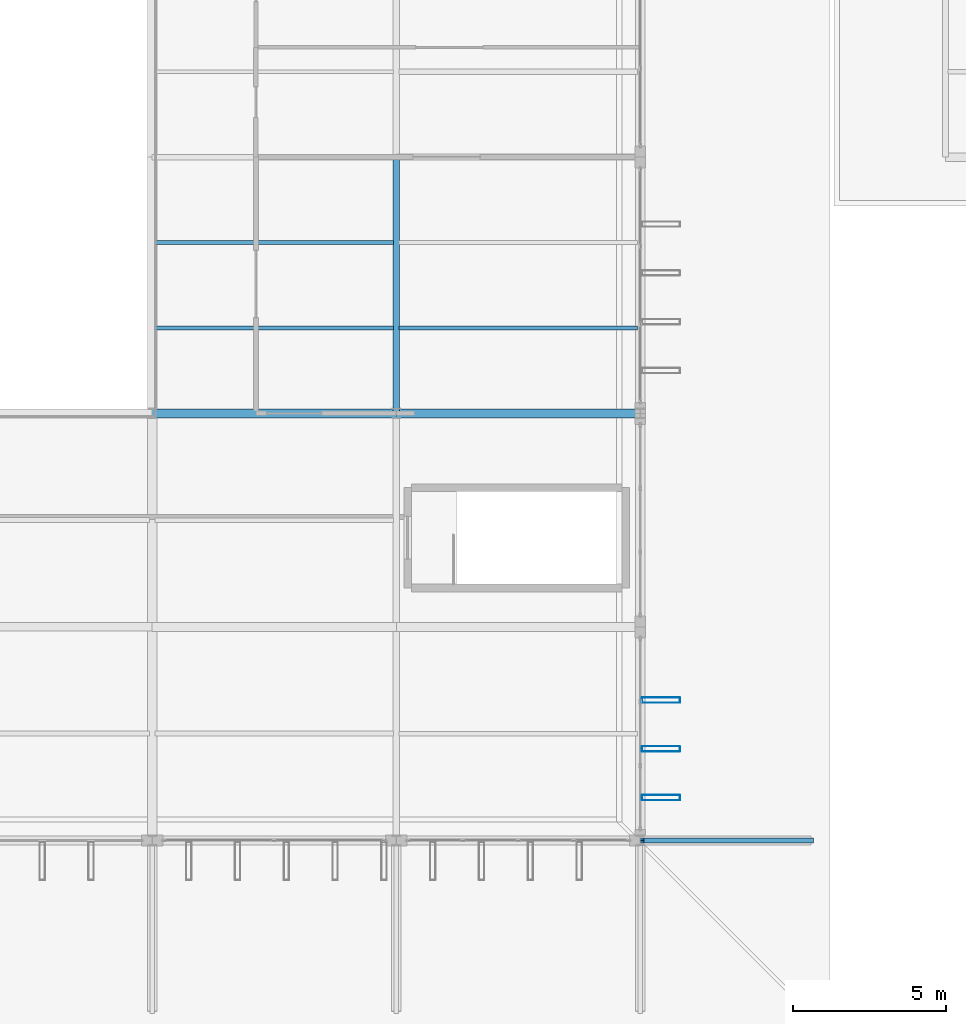
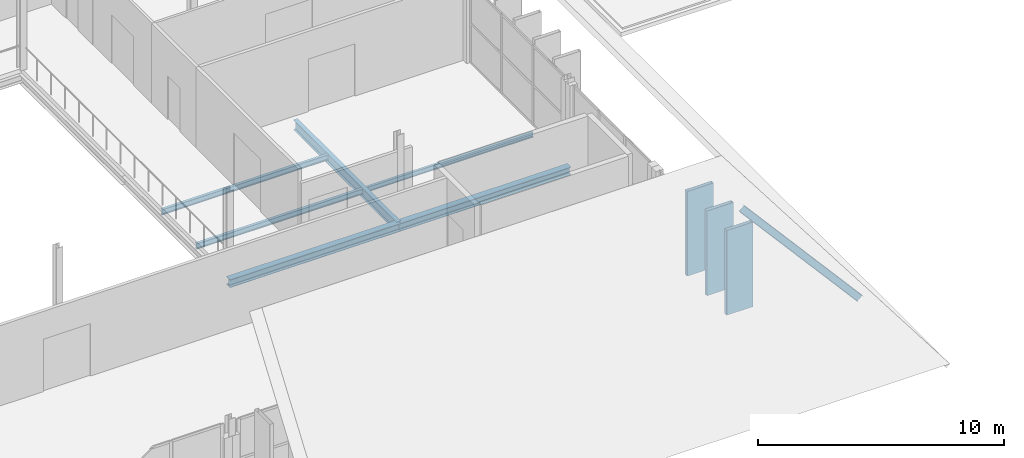
# One storey, part 41 of 93: 6 beams, 4 members.
"""IFC4 building model written with IfcOpenShell, lengths in metres."""

from ifc_helpers import new_model, si_unit, direction, frame, origin, origin_2d, place, context, subcontext, project, spatial, hollow_rectangle, i_section, extrude, material, material_profile, profile_set, type_object, element, save


model = new_model("IFC4")

# Units and contexts
model_context = context("Model", 3, precision=1e-05, world=origin(), true_north=direction((0.0, 1.0)))
body_context = subcontext(model_context, "Body", "Model", "MODEL_VIEW")
ifc_project = project(units=[si_unit("LENGTHUNIT", "METRE"), si_unit("AREAUNIT", "SQUARE_METRE"), si_unit("VOLUMEUNIT", "CUBIC_METRE"), si_unit("PLANEANGLEUNIT", "RADIAN"), si_unit("MASSUNIT", "GRAM", prefix="KILO")], contexts=[model_context])

# Site, building, storey
site_placement = place(None, origin())
site = spatial("IfcSite", under=ifc_project, at=site_placement, CompositionType="ELEMENT")
building_placement = place(site_placement, origin())
building = spatial("IfcBuilding", under=site, at=building_placement, Name="Vekula Escarpment Museum", CompositionType="ELEMENT")
storey_placement = place(building_placement, frame((0.0, 0.0, 22.199951171875)))
storey = spatial("IfcBuildingStorey", under=building, at=storey_placement, Name="L05", CompositionType="ELEMENT", Elevation=22.199951171875)

# Beams
ifc_material_1 = material(Name="Steel S355", Category="steel")
ifc_material_profile_1 = material_profile(ifc_material_1, i_section(OverallWidth=0.199951171875, OverallDepth=0.5, WebThickness=0.01025390625, FlangeThickness=0.01611328125, FilletRadius=0.02099609375, at=origin_2d()), Name="IPE 500")
ifc_profile_set_1 = profile_set([ifc_material_profile_1], Name="Steel S355")
beam_type_1 = type_object("IfcBeamType", Name="BM-GIRD-IPE500", PredefinedType="BEAM", material=ifc_profile_set_1)
beam_1_placement = place(storey_placement, frame((118.0, 59.60009765625, -0.469970703125), z_axis=(0.0, 1.0, 0.0), x_axis=(-1.0, 0.0, 0.0)))
element("IfcBeam", 1, at=beam_1_placement, inside=storey, type_object=beam_type_1, Name="Beam Y L05 2147", PredefinedType="BEAM", context=body_context, shape_type="SweptSolid", body=[
    extrude(i_section(OverallWidth=0.199951171875, OverallDepth=0.5, WebThickness=0.01025390625, FlangeThickness=0.01611328125, FilletRadius=0.02099609375, at=origin_2d()), origin(), (0.0, 0.0, 1.0), 8.39990234375),
])
ifc_material_2 = material(Name="Steel S355", Category="steel")
ifc_material_profile_2 = material_profile(ifc_material_2, i_section(OverallWidth=0.1201171875, OverallDepth=0.239990234375, WebThickness=0.006103515625, FlangeThickness=0.009765625, FilletRadius=0.014892578125, at=origin_2d()), Name="IPE 240")
ifc_profile_set_2 = profile_set([ifc_material_profile_2], Name="Steel S355")
beam_type_2 = type_object("IfcBeamType", Name="BM-JST-IPE240", PredefinedType="JOIST", material=ifc_profile_set_2)
beam_2_placement = place(storey_placement, frame((118.090087890625, 62.39990234375, -0.33984375), z_axis=(1.0, 0.0, 0.0), x_axis=(0.0, 1.0, 0.0)))
element("IfcBeam", 2, at=beam_2_placement, inside=storey, type_object=beam_type_2, Name="Secondary Joist L05 1375", PredefinedType="JOIST", context=body_context, shape_type="SweptSolid", body=[
    extrude(i_section(OverallWidth=0.1201171875, OverallDepth=0.239990234375, WebThickness=0.006103515625, FlangeThickness=0.009765625, FilletRadius=0.014892578125, at=origin_2d()), origin(), (0.0, 0.0, 1.0), 7.81982421875),
])
ifc_material_3 = material(Name="Steel S355", Category="steel")
ifc_material_profile_3 = material_profile(ifc_material_3, i_section(OverallWidth=0.135009765625, OverallDepth=0.27001953125, WebThickness=0.006591796875, FlangeThickness=0.01025390625, FilletRadius=0.014892578125, at=origin_2d()), Name="IPE 270")
ifc_profile_set_3 = profile_set([ifc_material_profile_3], Name="Steel S355")
beam_type_3 = type_object("IfcBeamType", Name="BM-JST-IPE270", PredefinedType="JOIST", material=ifc_profile_set_3)
for number, where, z_axis, x_axis, name in (
    (3, (110.090087890625, 62.39990234375, -0.35498046875), (1.0, 0.0, 0.0), (0.0, 1.0, 0.0), "Secondary Joist L05 1368"),
    (4, (110.090087890625, 65.199951171875, -0.35498046875), (1.0, 0.0, 0.0), (0.0, 1.0, 0.0), "Secondary Joist L05 1369"),
):
    element("IfcBeam", number, at=place(storey_placement, frame(where, z_axis=z_axis, x_axis=x_axis)), inside=storey, type_object=beam_type_3, Name=name, PredefinedType="JOIST", context=body_context, shape_type="SweptSolid", body=[
        extrude(i_section(OverallWidth=0.135009765625, OverallDepth=0.27001953125, WebThickness=0.006591796875, FlangeThickness=0.01025390625, FilletRadius=0.014892578125, at=origin_2d()), origin(), (0.0, 0.0, 1.0), 7.81982421875),
    ])
ifc_material_4 = material(Name="Steel S355", Category="steel")
ifc_material_profile_4 = material_profile(ifc_material_4, i_section(OverallWidth=0.300048828125, OverallDepth=0.389892578125, WebThickness=0.010986328125, FlangeThickness=0.01904296875, FilletRadius=0.027099609375, at=origin_2d()), Name="HEA 400")
ifc_profile_set_4 = profile_set([ifc_material_profile_4], Name="Steel S355")
beam_type_4 = type_object("IfcBeamType", Name="BM-SPAN-HEA400", PredefinedType="SPANDREL", material=ifc_profile_set_4)
for number, where, z_axis, x_axis, name in (
    (5, (110.0, 59.60009765625, -0.4150390625), (1.0, 0.0, 0.0), (0.0, 1.0, 0.0), "Beam X L05 1987"),
    (6, (118.0, 59.60009765625, -0.4150390625), (1.0, 0.0, 0.0), (0.0, 1.0, 0.0), "Beam X L05 1988"),
):
    element("IfcBeam", number, at=place(storey_placement, frame(where, z_axis=z_axis, x_axis=x_axis)), inside=storey, type_object=beam_type_4, Name=name, PredefinedType="SPANDREL", context=body_context, shape_type="SweptSolid", body=[
        extrude(i_section(OverallWidth=0.300048828125, OverallDepth=0.389892578125, WebThickness=0.010986328125, FlangeThickness=0.01904296875, FilletRadius=0.027099609375, at=origin_2d()), origin(), (0.0, 0.0, 1.0), 8.0),
    ])

# Members
ifc_material_5 = material(Name="Steel S355", Category="steel")
ifc_material_profile_5 = material_profile(ifc_material_5, i_section(OverallWidth=0.159912109375, OverallDepth=0.330078125, WebThickness=0.007568359375, FlangeThickness=0.011474609375, FilletRadius=0.01806640625, at=origin_2d()), Name="IPE 330")
ifc_profile_set_5 = profile_set([ifc_material_profile_5], Name="Steel S355")
member_type_1 = type_object("IfcMemberType", Name="MB-SKIRT-RAFTER", PredefinedType="CHORD", material=ifc_profile_set_5)
member_placement = place(storey_placement, frame((131.550048828125, 45.60009765625, -0.280029296875), z_axis=(-0.654565426105, 0.0, 0.756005359073), x_axis=(0.0, -1.0, 0.0)))
element("IfcMember", 7, at=member_placement, inside=storey, type_object=member_type_1, Name="Truncated-Hip Rafter East 45", PredefinedType="CHORD", context=body_context, shape_type="SweptSolid", body=[
    extrude(i_section(OverallWidth=0.159912109375, OverallDepth=0.330078125, WebThickness=0.007568359375, FlangeThickness=0.011474609375, FilletRadius=0.01806640625, at=origin_2d()), origin(), (0.0, 0.0, 1.0), 8.47900390625),
])
ifc_material_6 = material(Name="Steel S355 weathered bronze solar fin", Category="steel")
ifc_material_profile_6 = material_profile(ifc_material_6, hollow_rectangle(XDim=0.179931640625, YDim=1.25, WallThickness=0.010009765625, InnerFilletRadius=0.010009765625, OuterFilletRadius=0.02001953125, at=origin_2d()), Name="RHS 1250x180x10")
ifc_profile_set_6 = profile_set([ifc_material_profile_6], Name="Steel S355 weathered bronze solar fin")
member_type_2 = type_object("IfcMemberType", Name="MB-SOLAR-FIN", PredefinedType="USERDEFINED", material=ifc_profile_set_6)
for number, where, z_axis, x_axis, name in (
    (8, (126.679931640625, 47.0, 0.0), (0.0, 0.0, 1.0), (0.0, 1.0, 0.0), "Great Hall Vertical Solar Fin 0355"),
    (9, (126.679931640625, 48.60009765625, 0.0), (0.0, 0.0, 1.0), (0.0, 1.0, 0.0), "Great Hall Vertical Solar Fin 0360"),
    (10, (126.679931640625, 50.199951171875, 0.0), (0.0, 0.0, 1.0), (0.0, 1.0, 0.0), "Great Hall Vertical Solar Fin 0365"),
):
    element("IfcMember", number, at=place(storey_placement, frame(where, z_axis=z_axis, x_axis=x_axis)), inside=storey, type_object=member_type_2, Name=name, ObjectType="SOLAR FIN", PredefinedType="USERDEFINED", context=body_context, shape_type="SweptSolid", body=[
        extrude(hollow_rectangle(XDim=0.179931640625, YDim=1.25, WallThickness=0.010009765625, InnerFilletRadius=0.010009765625, OuterFilletRadius=0.02001953125, at=origin_2d()), origin(), (0.0, 0.0, 1.0), 4.199951171875),
    ])

save(model, "model.ifc")
